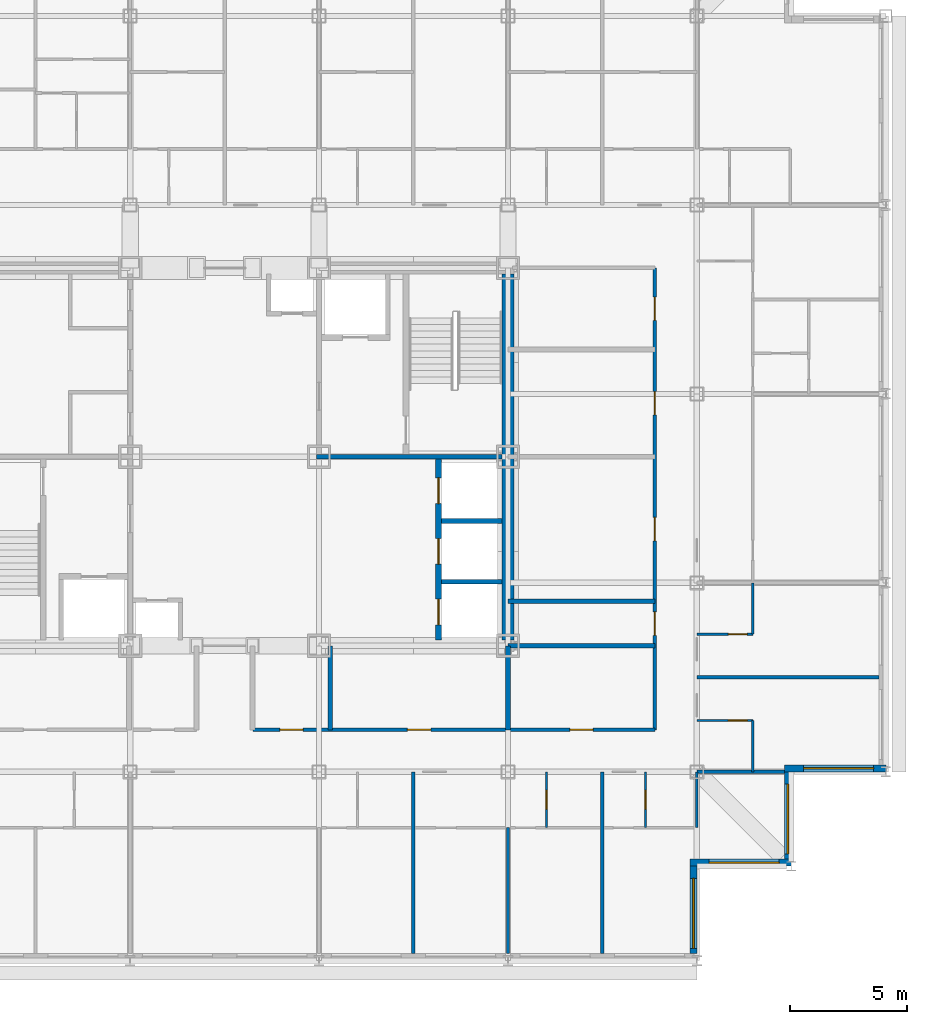
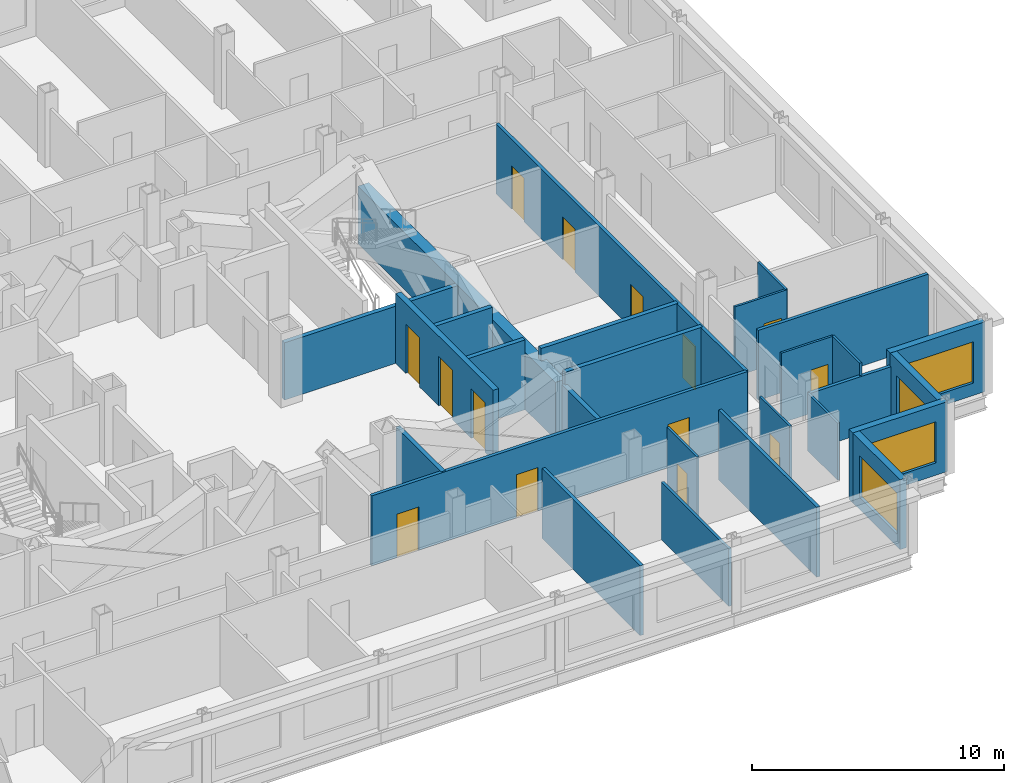
# One storey, part 7 of 12: 27 walls, 14 doors, 4 windows, 18 openings.
"""IFC4 building model written with IfcOpenShell, lengths in metres."""

import ifcopenshell
import ifcopenshell.guid

model = None  # the IFC model being written
_history = None  # IfcOwnerHistory: only IFC2X3 demands one
_inside = {}  # id of a spatial element -> (the spatial element, [elements in it])
_under = {}  # id of a project, library or spatial element -> (it, [spatial elements below it])
_declared = {}  # id of a project -> (the project, [libraries it declares])
_typed = {}  # id of a type object -> (the type object, [elements of that type])
_made_of = {}  # id of a material, layer set ... -> (it, [elements and type objects made of it])


def new_model(schema):
    """Start an empty IFC model of exactly this schema.

    Asked for "IFC4X3", IfcOpenShell would pick the latest addendum, in which some entities
    have other attributes; the version numbers below select the first issue.
    IFC2X3 requires an IfcOwnerHistory on every rooted entity: one is made here for all.
    """
    global model, _history
    if schema == "IFC4X3":
        model = ifcopenshell.file(schema_version=(4, 3, 0, 0))
    else:
        model = ifcopenshell.file(schema=schema)
    _inside.clear()
    _under.clear()
    _declared.clear()
    _typed.clear()
    _made_of.clear()
    _history = None
    if model.schema == "IFC2X3":
        org = make("IfcOrganization", Name="unknown")
        user = make(
            "IfcPersonAndOrganization",
            ThePerson=make("IfcPerson", FamilyName="unknown"),
            TheOrganization=org,
        )
        app = make(
            "IfcApplication",
            ApplicationDeveloper=org,
            Version="unknown",
            ApplicationFullName="unknown",
            ApplicationIdentifier="unknown",
        )
        _history = make(
            "IfcOwnerHistory",
            OwningUser=user,
            OwningApplication=app,
            ChangeAction="ADDED",
            CreationDate=0,
        )
    return model


def make(cls, **values):
    """One entity of the class cls with the attributes given. An attribute that is None is left unset."""
    return model.create_entity(
        cls, **{name: value for name, value in values.items() if value is not None}
    )


def rooted(cls, **values):
    """An entity with a GlobalId (a new one), such as an element, a storey or a relation."""
    return make(cls, GlobalId=ifcopenshell.guid.new(), OwnerHistory=_history, **values)


def si_unit(unit_type, name, prefix=None):
    """IfcSIUnit, for example si_unit("LENGTHUNIT", "METRE", prefix="MILLI")."""
    return make("IfcSIUnit", UnitType=unit_type, Prefix=prefix, Name=name)


def assignment(units):
    """IfcUnitAssignment: the units of a project."""
    return None if units is None else make("IfcUnitAssignment", Units=units)


def point(xyz):
    """IfcCartesianPoint."""
    return None if xyz is None else make("IfcCartesianPoint", Coordinates=xyz)


def direction(xyz):
    """IfcDirection."""
    return None if xyz is None else make("IfcDirection", DirectionRatios=xyz)


def frame(location, z_axis=None, x_axis=None):
    """IfcAxis2Placement3D, a coordinate frame: its origin and axes. An axis left out is left unset."""
    return make(
        "IfcAxis2Placement3D",
        Location=point(location),
        Axis=direction(z_axis),
        RefDirection=direction(x_axis),
    )


def frame_2d(location, x_axis=None):
    """IfcAxis2Placement2D, a coordinate frame in the plane: its origin and x axis."""
    return make(
        "IfcAxis2Placement2D", Location=point(location), RefDirection=direction(x_axis)
    )


def origin():
    """The frame at (0, 0, 0) with its axes left unset."""
    return frame((0.0, 0.0, 0.0))


def place(relative_to, where):
    """IfcLocalPlacement: puts the frame where relative to a parent placement (None: the world)."""
    return make(
        "IfcLocalPlacement", PlacementRelTo=relative_to, RelativePlacement=where
    )


def context(
    kind, dimensions, precision=None, world=None, true_north=None, identifier=None
):
    """IfcGeometricRepresentationContext, for example the 3D "Model" context."""
    return make(
        "IfcGeometricRepresentationContext",
        ContextIdentifier=identifier,
        ContextType=kind,
        CoordinateSpaceDimension=dimensions,
        Precision=precision,
        WorldCoordinateSystem=world,
        TrueNorth=true_north,
    )


def subcontext(parent, identifier, kind, view, scale=None):
    """IfcGeometricRepresentationSubContext, for example "Body" below "Model"."""
    return make(
        "IfcGeometricRepresentationSubContext",
        ContextIdentifier=identifier,
        ContextType=kind,
        ParentContext=parent,
        TargetScale=scale,
        TargetView=view,
    )


def project(units=None, contexts=None):
    """IfcProject with its units and contexts."""
    return rooted(
        "IfcProject",
        Name="project",
        RepresentationContexts=contexts,
        UnitsInContext=assignment(units),
    )


def spatial(cls, under=None, at=None, **own):
    """A site, building, storey or space (cls), placed at a placement, below another one or the project."""
    s = rooted(cls, ObjectPlacement=at, **own)
    if under is not None:
        _under.setdefault(under.id(), (under, []))[1].append(s)
    return s


def profile(cls, at=None, kind="AREA", **sizes):
    """A parametric profile (cls). Its sizes go by their IFC names, for example OverallWidth=200.0."""
    return make(cls, ProfileType=kind, Position=at, **sizes)


def rectangle(**sizes):
    """IfcRectangleProfileDef."""
    return profile("IfcRectangleProfileDef", **sizes)


def extrude(swept, where, along, depth):
    """IfcExtrudedAreaSolid: the profile swept, set in the frame where, extruded along a direction by depth."""
    return make(
        "IfcExtrudedAreaSolid",
        SweptArea=swept,
        Position=where,
        ExtrudedDirection=direction(along),
        Depth=depth,
    )


def shape(context_of_items, identifier, shape_type, items):
    """IfcShapeRepresentation: the items that make up one representation, for example the "Body"."""
    return make(
        "IfcShapeRepresentation",
        ContextOfItems=context_of_items,
        RepresentationIdentifier=identifier,
        RepresentationType=shape_type,
        Items=items,
    )


def material(Name=None, Category=None):
    """IfcMaterial."""
    return make("IfcMaterial", Name=Name, Category=Category)


def layer(
    of_material, thickness, ventilated=None, Name=None, Category=None, Priority=None
):
    """IfcMaterialLayer: one layer of a wall or slab, of a material (None: an air gap)."""
    return make(
        "IfcMaterialLayer",
        Material=of_material,
        LayerThickness=thickness,
        IsVentilated=ventilated,
        Name=Name,
        Category=Category,
        Priority=Priority,
    )


def layer_set(layers, Name=None):
    """IfcMaterialLayerSet."""
    return make("IfcMaterialLayerSet", MaterialLayers=layers, LayerSetName=Name)


def made_of(thing, what):
    """Note that an element or type object is made of a material, layer set ...; save() writes the relation."""
    if what is not None:
        _made_of.setdefault(what.id(), (what, []))[1].append(thing)
    return thing


def type_object(cls, material=None, **own):
    """A type object (cls), such as IfcWallType, which elements share."""
    return made_of(rooted(cls, **own), material)


def element(
    cls,
    number,
    at=None,
    inside=None,
    cuts=None,
    type_object=None,
    material=None,
    context=None,
    identifier="Body",
    shape_type=None,
    held_by="IfcProductDefinitionShape",
    body=None,
    shapes=None,
    **own,
):
    """One element of the class cls, such as IfcWall. Its Tag is "e" and its number.

    at: its placement. inside: the storey or other place that contains it. cuts: it is an
    opening in that element (IfcRelVoidsElement). A single representation is given by context,
    identifier, shape_type and body (its items); several are given by shapes. held_by: the class
    of the entity that holds the representations. save() writes the other relations.
    """
    e = rooted(cls, Tag="e%d" % number, ObjectPlacement=at, **own)
    if body is not None:
        shapes = [shape(context, identifier, shape_type, body)]
    if shapes is not None:
        e.Representation = make(held_by, Representations=shapes)
    if inside is not None:
        _inside.setdefault(inside.id(), (inside, []))[1].append(e)
    if cuts is not None:
        rooted(
            "IfcRelVoidsElement", RelatingBuildingElement=cuts, RelatedOpeningElement=e
        )
    if type_object is not None:
        _typed.setdefault(type_object.id(), (type_object, []))[1].append(e)
    return made_of(e, material)


def fill(opening, filler):
    """IfcRelFillsElement: the door or window that sits in an opening."""
    return rooted(
        "IfcRelFillsElement",
        RelatingOpeningElement=opening,
        RelatedBuildingElement=filler,
    )


def aggregate(whole, parts):
    """IfcRelAggregates: a whole, such as a stair, and the parts it consists of."""
    return rooted("IfcRelAggregates", RelatingObject=whole, RelatedObjects=parts)


def save(model, path):
    """Write the relations noted so far, then the file.

    IfcRelAggregates (storeys below a building ...), IfcRelContainedInSpatialStructure (elements
    in a storey), IfcRelDefinesByType, IfcRelAssociatesMaterial and IfcRelDeclares: one each for
    every whole, place, type object, material and project.
    """
    for whole, parts in _under.values():
        aggregate(whole, parts)
    for where, things in _inside.values():
        rooted(
            "IfcRelContainedInSpatialStructure",
            RelatedElements=things,
            RelatingStructure=where,
        )
    for kind, things in _typed.values():
        rooted("IfcRelDefinesByType", RelatedObjects=things, RelatingType=kind)
    for what, things in _made_of.values():
        rooted("IfcRelAssociatesMaterial", RelatedObjects=things, RelatingMaterial=what)
    for by, libraries in _declared.values():
        rooted("IfcRelDeclares", RelatingContext=by, RelatedDefinitions=libraries)
    model.write(path)


model = new_model("IFC4")

# Units and contexts
model_context = context("Model", 3, precision=1e-05, world=origin(), true_north=direction((0.0, 1.0)))
body_context = subcontext(model_context, "Body", "Model", "MODEL_VIEW")
ifc_project = project(units=[si_unit("LENGTHUNIT", "METRE"), si_unit("AREAUNIT", "SQUARE_METRE"), si_unit("VOLUMEUNIT", "CUBIC_METRE"), si_unit("PLANEANGLEUNIT", "RADIAN"), si_unit("MASSUNIT", "GRAM", prefix="KILO")], contexts=[model_context])

# Site, building, storey
site_placement = place(None, origin())
site = spatial("IfcSite", under=ifc_project, at=site_placement, CompositionType="ELEMENT")
building_placement = place(site_placement, origin())
building = spatial("IfcBuilding", under=site, at=building_placement, Name="Kopane Lantern Tower", CompositionType="ELEMENT")
storey_placement = place(building_placement, frame((0.0, 0.0, 199.199951171875)))
storey = spatial("IfcBuildingStorey", under=building, at=storey_placement, Name="L51", CompositionType="ELEMENT", Elevation=199.199951171875)

# Wall
ifc_material_1 = material(Name="Gypsum board on steel studs", Category="steel")
ifc_layer_1 = layer(ifc_material_1, 0.1201171875)
ifc_layer_set_1 = layer_set([ifc_layer_1], Name="APARTMENT INTERNAL WALL 120")
wall_type_1 = type_object("IfcWallType", Name="APARTMENT INTERNAL WALL 120", PredefinedType="PARTITIONING", material=ifc_layer_set_1)
wall_1_placement = place(storey_placement, frame((40.5, 16.5, 0.0), z_axis=(0.0, 0.0, 1.0), x_axis=(0.0, -1.0, 0.0)))
element("IfcWall", 1, at=wall_1_placement, inside=storey, type_object=wall_type_1, Name="Apartment Internal Wall 120 L51", PredefinedType="PARTITIONING", context=body_context, shape_type="SweptSolid", body=[
    extrude(rectangle(XDim=5.39990234375, YDim=0.1201171875, at=frame_2d((2.699951171875, 0.0))), origin(), (0.0, 0.0, 1.0), 2.77783203125),
])

# Wall, opening, door
ifc_material_2 = material(Name="Moisture-resistant board on steel studs", Category="steel")
ifc_layer_2 = layer(ifc_material_2, 0.10009765625)
ifc_layer_set_2 = layer_set([ifc_layer_2], Name="BATHROOM WALL 100")
wall_type_2 = type_object("IfcWallType", Name="BATHROOM WALL 100", PredefinedType="PARTITIONING", material=ifc_layer_set_2)
wall_2_placement = place(storey_placement, frame((42.14990234375, 18.89990234375, 0.0), z_axis=(0.0, 0.0, 1.0), x_axis=(0.0, -1.0, 0.0)))
wall_2 = element("IfcWall", 2, at=wall_2_placement, inside=storey, type_object=wall_type_2, Name="Bathroom Wall 100 L51", PredefinedType="PARTITIONING", context=body_context, shape_type="SweptSolid", body=[
    extrude(rectangle(XDim=2.39990234375, YDim=0.10009765625, at=frame_2d((1.199951171875, 0.0))), origin(), (0.0, 0.0, 1.0), 3.39013671875),
])
opening_1_placement = place(wall_2_placement, frame((0.800048828125, 0.0, 0.0)))
opening_1 = element("IfcOpeningElement", 3, at=opening_1_placement, cuts=wall_2, Name="Opening L51-022", PredefinedType="OPENING", context=body_context, shape_type="SweptSolid", body=[
    extrude(rectangle(XDim=0.800048828125, YDim=2.10009765625, at=frame_2d((0.39990234375, 1.050048828125))), frame((0.0, 0.06005859375, 0.0), z_axis=(0.0, -1.0, 0.0), x_axis=(1.0, 0.0, 0.0)), (0.0, 0.0, 1.0), 0.1201171875),
])
ifc_material_3 = material(Name="Timber door set", Category="wood")
door_type_1 = type_object("IfcDoorType", Name="DOOR D2 800x2100", OperationType="SINGLE_SWING_LEFT", PredefinedType="DOOR", material=ifc_material_3)
door_1_placement = place(opening_1_placement, origin())
door_1 = element("IfcDoor", 4, at=door_1_placement, inside=storey, type_object=door_type_1, Name="Door L51-022", OperationType="SINGLE_SWING_LEFT", OverallHeight=2.10009765625, OverallWidth=0.800048828125, PredefinedType="DOOR", context=body_context, shape_type="SweptSolid", body=[
    extrude(rectangle(XDim=0.800048828125, YDim=2.10009765625, at=frame_2d((0.39990234375, 1.050048828125))), frame((0.0, 0.02490234375, 0.0), z_axis=(0.0, -1.0, 0.0), x_axis=(1.0, 0.0, 0.0)), (0.0, 0.0, 1.0), 0.050048828125),
])
fill(opening_1, door_1)

# Wall
wall_3_placement = place(storey_placement, frame((51.0, 18.89990234375, 0.0), z_axis=(0.0, 0.0, 1.0), x_axis=(0.0, 1.0, 0.0)))
element("IfcWall", 5, at=wall_3_placement, inside=storey, type_object=wall_type_2, Name="Bathroom Wall 100 L51", PredefinedType="PARTITIONING", context=body_context, shape_type="SweptSolid", body=[
    extrude(rectangle(XDim=2.2001953125, YDim=0.10009765625, at=frame_2d((1.10009765625, 0.0))), origin(), (0.0, 0.0, 1.0), 3.39013671875),
])

# Wall, opening, door
wall_4_placement = place(storey_placement, frame((48.60009765625, 21.10009765625, 0.0), z_axis=(0.0, 0.0, 1.0), x_axis=(1.0, 0.0, 0.0)))
wall_4 = element("IfcWall", 6, at=wall_4_placement, inside=storey, type_object=wall_type_2, Name="Bathroom Wall 100 L51", PredefinedType="PARTITIONING", context=body_context, shape_type="SweptSolid", body=[
    extrude(rectangle(XDim=2.39990234375, YDim=0.10009765625, at=frame_2d((1.199951171875, 0.0))), origin(), (0.0, 0.0, 1.0), 3.39013671875),
])
opening_2_placement = place(wall_4_placement, frame((1.35009765625, 0.0, 0.0)))
opening_2 = element("IfcOpeningElement", 7, at=opening_2_placement, cuts=wall_4, Name="Opening L51-052", PredefinedType="OPENING", context=body_context, shape_type="SweptSolid", body=[
    extrude(rectangle(XDim=0.800048828125, YDim=2.10009765625, at=frame_2d((0.39990234375, 1.050048828125))), frame((0.0, 0.06005859375, 0.0), z_axis=(0.0, -1.0, 0.0), x_axis=(1.0, 0.0, 0.0)), (0.0, 0.0, 1.0), 0.1201171875),
])
door_2_placement = place(opening_2_placement, origin())
door_2 = element("IfcDoor", 8, at=door_2_placement, inside=storey, type_object=door_type_1, Name="Door L51-052", OperationType="SINGLE_SWING_LEFT", OverallHeight=2.10009765625, OverallWidth=0.800048828125, PredefinedType="DOOR", context=body_context, shape_type="SweptSolid", body=[
    extrude(rectangle(XDim=0.800048828125, YDim=2.10009765625, at=frame_2d((0.39990234375, 1.050048828125))), frame((0.0, 0.02490234375, 0.0), z_axis=(0.0, -1.0, 0.0), x_axis=(1.0, 0.0, 0.0)), (0.0, 0.0, 1.0), 0.050048828125),
])
fill(opening_2, door_2)

# Wall
wall_5_placement = place(storey_placement, frame((51.0, 24.800048828125, 0.0), z_axis=(0.0, 0.0, 1.0), x_axis=(0.0, 1.0, 0.0)))
element("IfcWall", 9, at=wall_5_placement, inside=storey, type_object=wall_type_2, Name="Bathroom Wall 100 L51", PredefinedType="PARTITIONING", context=body_context, shape_type="SweptSolid", body=[
    extrude(rectangle(XDim=2.199951171875, YDim=0.10009765625, at=frame_2d((1.10009765625, 0.0))), origin(), (0.0, 0.0, 1.0), 3.39013671875),
])

# Wall, opening, door
wall_6_placement = place(storey_placement, frame((48.60009765625, 24.800048828125, 0.0), z_axis=(0.0, 0.0, 1.0), x_axis=(1.0, 0.0, 0.0)))
wall_6 = element("IfcWall", 10, at=wall_6_placement, inside=storey, type_object=wall_type_2, Name="Bathroom Wall 100 L51", PredefinedType="PARTITIONING", context=body_context, shape_type="SweptSolid", body=[
    extrude(rectangle(XDim=2.39990234375, YDim=0.10009765625, at=frame_2d((1.199951171875, 0.0))), origin(), (0.0, 0.0, 1.0), 3.39013671875),
])
opening_3_placement = place(wall_6_placement, frame((1.35009765625, 0.0, 0.0)))
opening_3 = element("IfcOpeningElement", 11, at=opening_3_placement, cuts=wall_6, Name="Opening L51-054", PredefinedType="OPENING", context=body_context, shape_type="SweptSolid", body=[
    extrude(rectangle(XDim=0.800048828125, YDim=2.10009765625, at=frame_2d((0.39990234375, 1.050048828125))), frame((0.0, 0.06005859375, 0.0), z_axis=(0.0, -1.0, 0.0), x_axis=(1.0, 0.0, 0.0)), (0.0, 0.0, 1.0), 0.1201171875),
])
door_3_placement = place(opening_3_placement, origin())
door_3 = element("IfcDoor", 12, at=door_3_placement, inside=storey, type_object=door_type_1, Name="Door L51-054", OperationType="SINGLE_SWING_RIGHT", OverallHeight=2.10009765625, OverallWidth=0.800048828125, PredefinedType="DOOR", context=body_context, shape_type="SweptSolid", body=[
    extrude(rectangle(XDim=0.800048828125, YDim=2.10009765625, at=frame_2d((0.39990234375, 1.050048828125))), frame((0.0, 0.02490234375, 0.0), z_axis=(0.0, -1.0, 0.0), x_axis=(1.0, 0.0, 0.0)), (0.0, 0.0, 1.0), 0.050048828125),
])
fill(opening_3, door_3)

wall_7_placement = place(storey_placement, frame((46.39990234375, 18.89990234375, 0.0), z_axis=(0.0, 0.0, 1.0), x_axis=(0.0, -1.0, 0.0)))
wall_7 = element("IfcWall", 13, at=wall_7_placement, inside=storey, type_object=wall_type_2, Name="Bathroom Wall 100 L51", PredefinedType="PARTITIONING", context=body_context, shape_type="SweptSolid", body=[
    extrude(rectangle(XDim=2.39990234375, YDim=0.10009765625, at=frame_2d((1.199951171875, 0.0))), origin(), (0.0, 0.0, 1.0), 3.39013671875),
])
opening_4_placement = place(wall_7_placement, frame((0.800048828125, 0.0, 0.0)))
opening_4 = element("IfcOpeningElement", 14, at=opening_4_placement, cuts=wall_7, Name="Opening L51-065", PredefinedType="OPENING", context=body_context, shape_type="SweptSolid", body=[
    extrude(rectangle(XDim=0.800048828125, YDim=2.10009765625, at=frame_2d((0.39990234375, 1.050048828125))), frame((0.0, 0.06005859375, 0.0), z_axis=(0.0, -1.0, 0.0), x_axis=(1.0, 0.0, 0.0)), (0.0, 0.0, 1.0), 0.1201171875),
])
door_4_placement = place(opening_4_placement, origin())
door_4 = element("IfcDoor", 15, at=door_4_placement, inside=storey, type_object=door_type_1, Name="Door L51-065", OperationType="SINGLE_SWING_LEFT", OverallHeight=2.10009765625, OverallWidth=0.800048828125, PredefinedType="DOOR", context=body_context, shape_type="SweptSolid", body=[
    extrude(rectangle(XDim=0.800048828125, YDim=2.10009765625, at=frame_2d((0.39990234375, 1.050048828125))), frame((0.0, 0.02490234375, 0.0), z_axis=(0.0, -1.0, 0.0), x_axis=(1.0, 0.0, 0.0)), (0.0, 0.0, 1.0), 0.050048828125),
])
fill(opening_4, door_4)

# Walls
wall_8_placement = place(storey_placement, frame((48.60009765625, 18.89990234375, 0.0), z_axis=(0.0, 0.0, 1.0), x_axis=(0.0, -1.0, 0.0)))
element("IfcWall", 16, at=wall_8_placement, inside=storey, type_object=wall_type_2, Name="Bathroom Wall 100 L51", PredefinedType="PARTITIONING", context=body_context, shape_type="SweptSolid", body=[
    extrude(rectangle(XDim=2.39990234375, YDim=0.10009765625, at=frame_2d((1.199951171875, 0.0))), origin(), (0.0, 0.0, 1.0), 2.77783203125),
])
ifc_material_4 = material(Name="Gypsum shaft wall EI 120", Category="gypsum")
ifc_layer_3 = layer(ifc_material_4, 0.5)
ifc_layer_set_3 = layer_set([ifc_layer_3], Name="CORE PERIMETER WALL 500 EI 120")
wall_type_3 = type_object("IfcWallType", Name="CORE PERIMETER WALL 500 EI 120", PredefinedType="SOLIDWALL", material=ifc_layer_set_3)
wall_9_placement = place(storey_placement, frame((40.5, 24.550048828125, 0.0), z_axis=(0.0, 0.0, 1.0), x_axis=(0.0, 1.0, 0.0)))
element("IfcWall", 17, at=wall_9_placement, inside=storey, type_object=wall_type_3, Name="Core shaft wall L51 PE", PredefinedType="SOLIDWALL", context=body_context, shape_type="SweptSolid", body=[
    extrude(rectangle(XDim=15.699951171875, YDim=0.5, at=frame_2d((7.85009765625, 0.0))), origin(), (0.0, 0.0, 1.0), 2.77783203125),
])

# Wall, openings, doors
ifc_material_5 = material(Name="Gypsum shaft wall EI 120", Category="gypsum")
ifc_layer_4 = layer(ifc_material_5, 0.25)
ifc_layer_set_4 = layer_set([ifc_layer_4], Name="CORE SHAFT WALL 250 EI 120")
wall_type_4 = type_object("IfcWallType", Name="CORE SHAFT WALL 250 EI 120", PredefinedType="SOLIDWALL", material=ifc_layer_set_4)
wall_10_placement = place(storey_placement, frame((37.52490234375, 24.550048828125, 0.0), z_axis=(0.0, 0.0, 1.0), x_axis=(0.0, 1.0, 0.0)))
wall_10 = element("IfcWall", 18, at=wall_10_placement, inside=storey, type_object=wall_type_4, Name="Core shaft wall L51 XLR", PredefinedType="SOLIDWALL", context=body_context, shape_type="SweptSolid", body=[
    extrude(rectangle(XDim=7.75, YDim=0.25, at=frame_2d((3.875, 0.0))), origin(), (0.0, 0.0, 1.0), 3.39013671875),
])
opening_5_placement = place(wall_10_placement, frame((0.64990234375, 0.0, 0.0)))
opening_5 = element("IfcOpeningElement", 19, at=opening_5_placement, cuts=wall_10, Name="Opening 51.LD-LR1", PredefinedType="OPENING", context=body_context, shape_type="SweptSolid", body=[
    extrude(rectangle(XDim=1.10009765625, YDim=2.39990234375, at=frame_2d((0.550048828125, 1.199951171875))), frame((0.0, 0.135009765625, 0.0), z_axis=(0.0, -1.0, 0.0), x_axis=(1.0, 0.0, 0.0)), (0.0, 0.0, 1.0), 0.27001953125),
])
opening_6_placement = place(wall_10_placement, frame((3.25, 0.0, 0.0)))
opening_6 = element("IfcOpeningElement", 20, at=opening_6_placement, cuts=wall_10, Name="Opening 51.LD-LR2", PredefinedType="OPENING", context=body_context, shape_type="SweptSolid", body=[
    extrude(rectangle(XDim=1.10009765625, YDim=2.39990234375, at=frame_2d((0.550048828125, 1.199951171875))), frame((0.0, 0.135009765625, 0.0), z_axis=(0.0, -1.0, 0.0), x_axis=(1.0, 0.0, 0.0)), (0.0, 0.0, 1.0), 0.27001953125),
])
opening_7_placement = place(wall_10_placement, frame((5.85009765625, 0.0, 0.0)))
opening_7 = element("IfcOpeningElement", 21, at=opening_7_placement, cuts=wall_10, Name="Opening 51.LD-LR3", PredefinedType="OPENING", context=body_context, shape_type="SweptSolid", body=[
    extrude(rectangle(XDim=1.10009765625, YDim=2.39990234375, at=frame_2d((0.550048828125, 1.199951171875))), frame((0.0, 0.135009765625, 0.0), z_axis=(0.0, -1.0, 0.0), x_axis=(1.0, 0.0, 0.0)), (0.0, 0.0, 1.0), 0.27001953125),
])
ifc_material_6 = material(Name="Steel door set", Category="steel")
door_type_2 = type_object("IfcDoorType", Name="LIFT LANDING DOOR 1100x2400 FD60", OperationType="DOUBLE_DOOR_SLIDING", PredefinedType="DOOR", material=ifc_material_6)
door_5_placement = place(opening_5_placement, origin())
door_5 = element("IfcDoor", 22, at=door_5_placement, inside=storey, type_object=door_type_2, Name="Landing door LR1 L51", OperationType="DOUBLE_DOOR_SLIDING", OverallHeight=2.39990234375, OverallWidth=1.10009765625, PredefinedType="DOOR", context=body_context, shape_type="SweptSolid", body=[
    extrude(rectangle(XDim=1.10009765625, YDim=2.39990234375, at=frame_2d((0.550048828125, 1.199951171875))), frame((0.0, 0.02490234375, 0.0), z_axis=(0.0, -1.0, 0.0), x_axis=(1.0, 0.0, 0.0)), (0.0, 0.0, 1.0), 0.050048828125),
])
fill(opening_5, door_5)
door_6_placement = place(opening_6_placement, origin())
door_6 = element("IfcDoor", 23, at=door_6_placement, inside=storey, type_object=door_type_2, Name="Landing door LR2 L51", OperationType="DOUBLE_DOOR_SLIDING", OverallHeight=2.39990234375, OverallWidth=1.10009765625, PredefinedType="DOOR", context=body_context, shape_type="SweptSolid", body=[
    extrude(rectangle(XDim=1.10009765625, YDim=2.39990234375, at=frame_2d((0.550048828125, 1.199951171875))), frame((0.0, 0.02490234375, 0.0), z_axis=(0.0, -1.0, 0.0), x_axis=(1.0, 0.0, 0.0)), (0.0, 0.0, 1.0), 0.050048828125),
])
fill(opening_6, door_6)
door_7_placement = place(opening_7_placement, origin())
door_7 = element("IfcDoor", 24, at=door_7_placement, inside=storey, type_object=door_type_2, Name="Landing door LR3 L51", OperationType="DOUBLE_DOOR_SLIDING", OverallHeight=2.39990234375, OverallWidth=1.10009765625, PredefinedType="DOOR", context=body_context, shape_type="SweptSolid", body=[
    extrude(rectangle(XDim=1.10009765625, YDim=2.39990234375, at=frame_2d((0.550048828125, 1.199951171875))), frame((0.0, 0.02490234375, 0.0), z_axis=(0.0, -1.0, 0.0), x_axis=(1.0, 0.0, 0.0)), (0.0, 0.0, 1.0), 0.050048828125),
])
fill(opening_7, door_7)

ifc_material_7 = material(Name="Gypsum board on steel studs", Category="steel")
ifc_layer_5 = layer(ifc_material_7, 0.14990234375)
ifc_layer_set_5 = layer_set([ifc_layer_5], Name="CORRIDOR WALL 150 EI 60")
wall_type_5 = type_object("IfcWallType", Name="CORRIDOR WALL 150 EI 60", PredefinedType="PARTITIONING", material=ifc_layer_set_5)
wall_11_placement = place(storey_placement, frame((46.800048828125, 20.699951171875, 0.0), z_axis=(0.0, 0.0, 1.0), x_axis=(0.0, 1.0, 0.0)))
wall_11 = element("IfcWall", 25, at=wall_11_placement, inside=storey, type_object=wall_type_5, Name="Corridor Wall 150 Ei 60 L51", PredefinedType="PARTITIONING", context=body_context, shape_type="SweptSolid", body=[
    extrude(rectangle(XDim=19.800048828125, YDim=0.14990234375, at=frame_2d((9.89990234375, 0.0))), origin(), (0.0, 0.0, 1.0), 3.39013671875),
])
opening_8_placement = place(wall_11_placement, frame((4.052490234375, 0.0, 0.0)))
opening_8 = element("IfcOpeningElement", 26, at=opening_8_placement, cuts=wall_11, Name="Opening L51-003", PredefinedType="OPENING", context=body_context, shape_type="SweptSolid", body=[
    extrude(rectangle(XDim=1.0, YDim=2.10009765625, at=frame_2d((0.5, 1.050048828125))), frame((0.0, 0.0849609375, 0.0), z_axis=(0.0, -1.0, 0.0), x_axis=(1.0, 0.0, 0.0)), (0.0, 0.0, 1.0), 0.169921875),
])
opening_9_placement = place(wall_11_placement, frame((8.102294921875, 0.0, 0.0)))
opening_9 = element("IfcOpeningElement", 27, at=opening_9_placement, cuts=wall_11, Name="Opening L51-004", PredefinedType="OPENING", context=body_context, shape_type="SweptSolid", body=[
    extrude(rectangle(XDim=1.0, YDim=2.10009765625, at=frame_2d((0.5, 1.050048828125))), frame((0.0, 0.0849609375, 0.0), z_axis=(0.0, -1.0, 0.0), x_axis=(1.0, 0.0, 0.0)), (0.0, 0.0, 1.0), 0.169921875),
])
opening_10_placement = place(wall_11_placement, frame((13.501708984375, 0.0, 0.0)))
opening_10 = element("IfcOpeningElement", 28, at=opening_10_placement, cuts=wall_11, Name="Opening L51-005", PredefinedType="OPENING", context=body_context, shape_type="SweptSolid", body=[
    extrude(rectangle(XDim=1.0, YDim=2.10009765625, at=frame_2d((0.5, 1.050048828125))), frame((0.0, 0.0849609375, 0.0), z_axis=(0.0, -1.0, 0.0), x_axis=(1.0, 0.0, 0.0)), (0.0, 0.0, 1.0), 0.169921875),
])
opening_11_placement = place(wall_11_placement, frame((17.551513671875, 0.0, 0.0)))
opening_11 = element("IfcOpeningElement", 29, at=opening_11_placement, cuts=wall_11, Name="Opening L51-006", PredefinedType="OPENING", context=body_context, shape_type="SweptSolid", body=[
    extrude(rectangle(XDim=1.0, YDim=2.10009765625, at=frame_2d((0.5, 1.050048828125))), frame((0.0, 0.0849609375, 0.0), z_axis=(0.0, -1.0, 0.0), x_axis=(1.0, 0.0, 0.0)), (0.0, 0.0, 1.0), 0.169921875),
])
ifc_material_8 = material(Name="Steel door set", Category="steel")
door_type_3 = type_object("IfcDoorType", Name="DOOR D5 1000x2100 FD60", OperationType="SINGLE_SWING_LEFT", PredefinedType="DOOR", material=ifc_material_8)
door_8_placement = place(opening_8_placement, origin())
door_8 = element("IfcDoor", 30, at=door_8_placement, inside=storey, type_object=door_type_3, Name="Door L51-003", OperationType="SINGLE_SWING_LEFT", OverallHeight=2.10009765625, OverallWidth=1.0, PredefinedType="DOOR", context=body_context, shape_type="SweptSolid", body=[
    extrude(rectangle(XDim=1.0, YDim=2.10009765625, at=frame_2d((0.5, 1.050048828125))), frame((0.0, 0.02490234375, 0.0), z_axis=(0.0, -1.0, 0.0), x_axis=(1.0, 0.0, 0.0)), (0.0, 0.0, 1.0), 0.050048828125),
])
fill(opening_8, door_8)
door_9_placement = place(opening_9_placement, origin())
door_9 = element("IfcDoor", 31, at=door_9_placement, inside=storey, type_object=door_type_3, Name="Door L51-004", OperationType="SINGLE_SWING_RIGHT", OverallHeight=2.10009765625, OverallWidth=1.0, PredefinedType="DOOR", context=body_context, shape_type="SweptSolid", body=[
    extrude(rectangle(XDim=1.0, YDim=2.10009765625, at=frame_2d((0.5, 1.050048828125))), frame((0.0, 0.02490234375, 0.0), z_axis=(0.0, -1.0, 0.0), x_axis=(1.0, 0.0, 0.0)), (0.0, 0.0, 1.0), 0.050048828125),
])
fill(opening_9, door_9)
door_10_placement = place(opening_10_placement, origin())
door_10 = element("IfcDoor", 32, at=door_10_placement, inside=storey, type_object=door_type_3, Name="Door L51-005", OperationType="SINGLE_SWING_LEFT", OverallHeight=2.10009765625, OverallWidth=1.0, PredefinedType="DOOR", context=body_context, shape_type="SweptSolid", body=[
    extrude(rectangle(XDim=1.0, YDim=2.10009765625, at=frame_2d((0.5, 1.050048828125))), frame((0.0, 0.02490234375, 0.0), z_axis=(0.0, -1.0, 0.0), x_axis=(1.0, 0.0, 0.0)), (0.0, 0.0, 1.0), 0.050048828125),
])
fill(opening_10, door_10)
door_11_placement = place(opening_11_placement, origin())
door_11 = element("IfcDoor", 33, at=door_11_placement, inside=storey, type_object=door_type_3, Name="Door L51-006", OperationType="SINGLE_SWING_RIGHT", OverallHeight=2.10009765625, OverallWidth=1.0, PredefinedType="DOOR", context=body_context, shape_type="SweptSolid", body=[
    extrude(rectangle(XDim=1.0, YDim=2.10009765625, at=frame_2d((0.5, 1.050048828125))), frame((0.0, 0.02490234375, 0.0), z_axis=(0.0, -1.0, 0.0), x_axis=(1.0, 0.0, 0.0)), (0.0, 0.0, 1.0), 0.050048828125),
])
fill(opening_11, door_11)

wall_12_placement = place(storey_placement, frame((29.56005859375, 20.699951171875, 0.0), z_axis=(0.0, 0.0, 1.0), x_axis=(1.0, 0.0, 0.0)))
wall_12 = element("IfcWall", 34, at=wall_12_placement, inside=storey, type_object=wall_type_5, Name="Corridor Wall 150 Ei 60 L51", PredefinedType="PARTITIONING", context=body_context, shape_type="SweptSolid", body=[
    extrude(rectangle(XDim=17.239990234375, YDim=0.14990234375, at=frame_2d((8.6201171875, 0.0))), origin(), (0.0, 0.0, 1.0), 3.39013671875),
])
opening_12_placement = place(wall_12_placement, frame((1.15673828125, 0.0, 0.0)))
opening_12 = element("IfcOpeningElement", 35, at=opening_12_placement, cuts=wall_12, Name="Opening L51-011", PredefinedType="OPENING", context=body_context, shape_type="SweptSolid", body=[
    extrude(rectangle(XDim=1.0, YDim=2.10009765625, at=frame_2d((0.5, 1.050048828125))), frame((0.0, 0.0849609375, 0.0), z_axis=(0.0, -1.0, 0.0), x_axis=(1.0, 0.0, 0.0)), (0.0, 0.0, 1.0), 0.169921875),
])
opening_13_placement = place(wall_12_placement, frame((6.631591796875, 0.0, 0.0)))
opening_13 = element("IfcOpeningElement", 36, at=opening_13_placement, cuts=wall_12, Name="Opening L51-012", PredefinedType="OPENING", context=body_context, shape_type="SweptSolid", body=[
    extrude(rectangle(XDim=1.0, YDim=2.10009765625, at=frame_2d((0.5, 1.050048828125))), frame((0.0, 0.0849609375, 0.0), z_axis=(0.0, -1.0, 0.0), x_axis=(1.0, 0.0, 0.0)), (0.0, 0.0, 1.0), 0.169921875),
])
opening_14_placement = place(wall_12_placement, frame((13.590087890625, 0.0, 0.0)))
opening_14 = element("IfcOpeningElement", 37, at=opening_14_placement, cuts=wall_12, Name="Opening L51-013", PredefinedType="OPENING", context=body_context, shape_type="SweptSolid", body=[
    extrude(rectangle(XDim=1.0, YDim=2.10009765625, at=frame_2d((0.5, 1.050048828125))), frame((0.0, 0.0849609375, 0.0), z_axis=(0.0, -1.0, 0.0), x_axis=(1.0, 0.0, 0.0)), (0.0, 0.0, 1.0), 0.169921875),
])
door_12_placement = place(opening_12_placement, origin())
door_12 = element("IfcDoor", 38, at=door_12_placement, inside=storey, type_object=door_type_3, Name="Door L51-011", OperationType="SINGLE_SWING_LEFT", OverallHeight=2.10009765625, OverallWidth=1.0, PredefinedType="DOOR", context=body_context, shape_type="SweptSolid", body=[
    extrude(rectangle(XDim=1.0, YDim=2.10009765625, at=frame_2d((0.5, 1.050048828125))), frame((0.0, 0.02490234375, 0.0), z_axis=(0.0, -1.0, 0.0), x_axis=(1.0, 0.0, 0.0)), (0.0, 0.0, 1.0), 0.050048828125),
])
fill(opening_12, door_12)
door_13_placement = place(opening_13_placement, origin())
door_13 = element("IfcDoor", 39, at=door_13_placement, inside=storey, type_object=door_type_3, Name="Door L51-012", OperationType="SINGLE_SWING_RIGHT", OverallHeight=2.10009765625, OverallWidth=1.0, PredefinedType="DOOR", context=body_context, shape_type="SweptSolid", body=[
    extrude(rectangle(XDim=1.0, YDim=2.10009765625, at=frame_2d((0.5, 1.050048828125))), frame((0.0, 0.02490234375, 0.0), z_axis=(0.0, -1.0, 0.0), x_axis=(1.0, 0.0, 0.0)), (0.0, 0.0, 1.0), 0.050048828125),
])
fill(opening_13, door_13)
door_14_placement = place(opening_14_placement, origin())
door_14 = element("IfcDoor", 40, at=door_14_placement, inside=storey, type_object=door_type_3, Name="Door L51-013", OperationType="SINGLE_SWING_LEFT", OverallHeight=2.10009765625, OverallWidth=1.0, PredefinedType="DOOR", context=body_context, shape_type="SweptSolid", body=[
    extrude(rectangle(XDim=1.0, YDim=2.10009765625, at=frame_2d((0.5, 1.050048828125))), frame((0.0, 0.02490234375, 0.0), z_axis=(0.0, -1.0, 0.0), x_axis=(1.0, 0.0, 0.0)), (0.0, 0.0, 1.0), 0.050048828125),
])
fill(opening_14, door_14)

# Walls
ifc_material_9 = material(Name="Gypsum board on steel studs", Category="steel")
ifc_layer_6 = layer(ifc_material_9, 0.14990234375)
ifc_layer_set_6 = layer_set([ifc_layer_6], Name="DEMISING WALL 150 EI 60")
wall_type_6 = type_object("IfcWallType", Name="DEMISING WALL 150 EI 60", PredefinedType="PARTITIONING", material=ifc_layer_set_6)
for number, where, z_axis, x_axis, name in (
    (41, (36.449951171875, 18.89990234375, 0.0), (0.0, 0.0, 1.0), (0.0, -1.0, 0.0), "Demising Wall 150 Ei 60 L51"),
    (42, (48.60009765625, 22.949951171875, 0.0), (0.0, 0.0, 1.0), (1.0, 0.0, 0.0), "Demising Wall 150 Ei 60 L51"),
):
    element("IfcWall", number, at=place(storey_placement, frame(where, z_axis=z_axis, x_axis=x_axis)), inside=storey, type_object=wall_type_6, Name=name, PredefinedType="PARTITIONING", context=body_context, shape_type="SweptSolid", body=[
        extrude(rectangle(XDim=7.7998046875, YDim=0.14990234375, at=frame_2d((3.89990234375, 0.0))), origin(), (0.0, 0.0, 1.0), 3.39013671875),
    ])
wall_13_placement = place(storey_placement, frame((48.60009765625, 18.89990234375, 0.0), z_axis=(0.0, 0.0, 1.0), x_axis=(1.0, 0.0, 0.0)))
element("IfcWall", 43, at=wall_13_placement, inside=storey, type_object=wall_type_6, Name="Demising Wall 150 Ei 60 L51", PredefinedType="PARTITIONING", context=body_context, shape_type="SweptSolid", body=[
    extrude(rectangle(XDim=3.75, YDim=0.14990234375, at=frame_2d((1.875, 0.0))), origin(), (0.0, 0.0, 1.0), 2.77783203125),
])
wall_14_placement = place(storey_placement, frame((44.550048828125, 18.89990234375, 0.0), z_axis=(0.0, 0.0, 1.0), x_axis=(0.0, -1.0, 0.0)))
element("IfcWall", 44, at=wall_14_placement, inside=storey, type_object=wall_type_6, Name="Demising Wall 150 Ei 60 L51", PredefinedType="PARTITIONING", context=body_context, shape_type="SweptSolid", body=[
    extrude(rectangle(XDim=7.7998046875, YDim=0.14990234375, at=frame_2d((3.89990234375, 0.0))), origin(), (0.0, 0.0, 1.0), 3.39013671875),
])

# Wall, opening, window
ifc_material_10 = material(Name="Terracotta rainscreen on light steel framing", Category="masonry")
ifc_layer_7 = layer(ifc_material_10, 0.300048828125)
ifc_layer_set_7 = layer_set([ifc_layer_7], Name="EXTERNAL WALL EW1 300 TERRACOTTA")
wall_type_7 = type_object("IfcWallType", Name="EXTERNAL WALL EW1 300 TERRACOTTA", PredefinedType="SOLIDWALL", material=ifc_layer_set_7)
wall_15_placement = place(storey_placement, frame((48.449951171875, 11.10009765625, 0.0), z_axis=(0.0, 0.0, 1.0), x_axis=(0.0, 1.0, 0.0)))
wall_15 = element("IfcWall", 45, at=wall_15_placement, inside=storey, type_object=wall_type_7, Name="External wall E L51", PredefinedType="SOLIDWALL", context=body_context, shape_type="SweptSolid", body=[
    extrude(rectangle(XDim=3.75, YDim=0.300048828125, at=frame_2d((1.875, 0.0))), origin(), (0.0, 0.0, 1.0), 3.39013671875),
])
opening_15_placement = place(wall_15_placement, frame((0.22509765625, 0.0, 0.60009765625)))
opening_15 = element("IfcOpeningElement", 46, at=opening_15_placement, cuts=wall_15, Name="Opening WR300200", PredefinedType="OPENING", context=body_context, shape_type="SweptSolid", body=[
    extrude(rectangle(XDim=3.0, YDim=2.0, at=frame_2d((1.5, 1.0))), frame((0.0, 0.159912109375, 0.0), z_axis=(0.0, -1.0, 0.0), x_axis=(1.0, 0.0, 0.0)), (0.0, 0.0, 1.0), 0.320068359375),
])
ifc_material_11 = material(Name="Aluminium and clear glass", Category="aluminium")
window_type = type_object("IfcWindowType", Name="RIBBON WINDOW WR300200 3000x2000", PartitioningType="SINGLE_PANEL", PredefinedType="WINDOW", material=ifc_material_11)
window_1_placement = place(opening_15_placement, origin())
window_1 = element("IfcWindow", 47, at=window_1_placement, inside=storey, type_object=window_type, Name="Window E L51", OverallHeight=2.0, OverallWidth=3.0, PartitioningType="SINGLE_PANEL", PredefinedType="WINDOW", context=body_context, shape_type="SweptSolid", body=[
    extrude(rectangle(XDim=3.0, YDim=2.0, at=frame_2d((1.5, 1.0))), frame((0.0, 0.030029296875, 0.0), z_axis=(0.0, -1.0, 0.0), x_axis=(1.0, 0.0, 0.0)), (0.0, 0.0, 1.0), 0.06005859375),
])
fill(opening_15, window_1)

wall_16_placement = place(storey_placement, frame((48.300048828125, 15.0, 0.0), z_axis=(0.0, 0.0, 1.0), x_axis=(1.0, 0.0, 0.0)))
wall_16 = element("IfcWall", 48, at=wall_16_placement, inside=storey, type_object=wall_type_7, Name="External wall S L51", PredefinedType="SOLIDWALL", context=body_context, shape_type="SweptSolid", body=[
    extrude(rectangle(XDim=4.349853515625, YDim=0.300048828125, at=frame_2d((2.1748046875, 0.0))), origin(), (0.0, 0.0, 1.0), 3.39013671875),
])
opening_16_placement = place(wall_16_placement, frame((0.824951171875, 0.0, 0.60009765625)))
opening_16 = element("IfcOpeningElement", 49, at=opening_16_placement, cuts=wall_16, Name="Opening WR300200", PredefinedType="OPENING", context=body_context, shape_type="SweptSolid", body=[
    extrude(rectangle(XDim=3.0, YDim=2.0, at=frame_2d((1.5, 1.0))), frame((0.0, 0.159912109375, 0.0), z_axis=(0.0, -1.0, 0.0), x_axis=(1.0, 0.0, 0.0)), (0.0, 0.0, 1.0), 0.320068359375),
])
window_2_placement = place(opening_16_placement, origin())
window_2 = element("IfcWindow", 50, at=window_2_placement, inside=storey, type_object=window_type, Name="Window S L51", OverallHeight=2.0, OverallWidth=3.0, PartitioningType="SINGLE_PANEL", PredefinedType="WINDOW", context=body_context, shape_type="SweptSolid", body=[
    extrude(rectangle(XDim=3.0, YDim=2.0, at=frame_2d((1.5, 1.0))), frame((0.0, 0.030029296875, 0.0), z_axis=(0.0, -1.0, 0.0), x_axis=(1.0, 0.0, 0.0)), (0.0, 0.0, 1.0), 0.06005859375),
])
fill(opening_16, window_2)

wall_17_placement = place(storey_placement, frame((52.5, 15.14990234375, 0.0), z_axis=(0.0, 0.0, 1.0), x_axis=(0.0, 1.0, 0.0)))
wall_17 = element("IfcWall", 51, at=wall_17_placement, inside=storey, type_object=wall_type_7, Name="External wall E L51", PredefinedType="SOLIDWALL", context=body_context, shape_type="SweptSolid", body=[
    extrude(rectangle(XDim=3.75, YDim=0.300048828125, at=frame_2d((1.875, 0.0))), origin(), (0.0, 0.0, 1.0), 3.39013671875),
])
opening_17_placement = place(wall_17_placement, frame((0.22509765625, 0.0, 0.60009765625)))
opening_17 = element("IfcOpeningElement", 52, at=opening_17_placement, cuts=wall_17, Name="Opening WR300200", PredefinedType="OPENING", context=body_context, shape_type="SweptSolid", body=[
    extrude(rectangle(XDim=3.0, YDim=2.0, at=frame_2d((1.5, 1.0))), frame((0.0, 0.159912109375, 0.0), z_axis=(0.0, -1.0, 0.0), x_axis=(1.0, 0.0, 0.0)), (0.0, 0.0, 1.0), 0.320068359375),
])
window_3_placement = place(opening_17_placement, origin())
window_3 = element("IfcWindow", 53, at=window_3_placement, inside=storey, type_object=window_type, Name="Window E L51", OverallHeight=2.0, OverallWidth=3.0, PartitioningType="SINGLE_PANEL", PredefinedType="WINDOW", context=body_context, shape_type="SweptSolid", body=[
    extrude(rectangle(XDim=3.0, YDim=2.0, at=frame_2d((1.5, 1.0))), frame((0.0, 0.030029296875, 0.0), z_axis=(0.0, -1.0, 0.0), x_axis=(1.0, 0.0, 0.0)), (0.0, 0.0, 1.0), 0.06005859375),
])
fill(opening_17, window_3)

wall_18_placement = place(storey_placement, frame((52.35009765625, 19.050048828125, 0.0), z_axis=(0.0, 0.0, 1.0), x_axis=(1.0, 0.0, 0.0)))
wall_18 = element("IfcWall", 54, at=wall_18_placement, inside=storey, type_object=wall_type_7, Name="External wall S L51", PredefinedType="SOLIDWALL", context=body_context, shape_type="SweptSolid", body=[
    extrude(rectangle(XDim=4.349853515625, YDim=0.300048828125, at=frame_2d((2.1748046875, 0.0))), origin(), (0.0, 0.0, 1.0), 3.39013671875),
])
opening_18_placement = place(wall_18_placement, frame((0.824951171875, 0.0, 0.60009765625)))
opening_18 = element("IfcOpeningElement", 55, at=opening_18_placement, cuts=wall_18, Name="Opening WR300200", PredefinedType="OPENING", context=body_context, shape_type="SweptSolid", body=[
    extrude(rectangle(XDim=3.0, YDim=2.0, at=frame_2d((1.5, 1.0))), frame((0.0, 0.159912109375, 0.0), z_axis=(0.0, -1.0, 0.0), x_axis=(1.0, 0.0, 0.0)), (0.0, 0.0, 1.0), 0.320068359375),
])
window_4_placement = place(opening_18_placement, origin())
window_4 = element("IfcWindow", 56, at=window_4_placement, inside=storey, type_object=window_type, Name="Window S L51", OverallHeight=2.0, OverallWidth=3.0, PartitioningType="SINGLE_PANEL", PredefinedType="WINDOW", context=body_context, shape_type="SweptSolid", body=[
    extrude(rectangle(XDim=3.0, YDim=2.0, at=frame_2d((1.5, 1.0))), frame((0.0, 0.030029296875, 0.0), z_axis=(0.0, -1.0, 0.0), x_axis=(1.0, 0.0, 0.0)), (0.0, 0.0, 1.0), 0.06005859375),
])
fill(opening_18, window_4)

# Walls
ifc_material_12 = material(Name="Concrete masonry", Category="masonry")
ifc_layer_8 = layer(ifc_material_12, 0.199951171875)
ifc_layer_set_8 = layer_set([ifc_layer_8], Name="PLANT ROOM WALL 200 EI 120")
wall_type_8 = type_object("IfcWallType", Name="PLANT ROOM WALL 200 EI 120", PredefinedType="SOLIDWALL", material=ifc_layer_set_8)
wall_19_placement = place(storey_placement, frame((46.800048828125, 26.204833984375, 0.0), z_axis=(0.0, 0.0, 1.0), x_axis=(-1.0, 0.0, 0.0)))
element("IfcWall", 57, at=wall_19_placement, inside=storey, type_object=wall_type_8, Name="Plant Room Wall 200 Ei 120 L51", PredefinedType="SOLIDWALL", context=body_context, shape_type="SweptSolid", body=[
    extrude(rectangle(XDim=6.300048828125, YDim=0.199951171875, at=frame_2d((3.14990234375, 0.0))), origin(), (0.0, 0.0, 1.0), 3.39013671875),
])
wall_20_placement = place(storey_placement, frame((40.5, 20.699951171875, 0.0), z_axis=(0.0, 0.0, 1.0), x_axis=(0.0, 1.0, 0.0)))
element("IfcWall", 58, at=wall_20_placement, inside=storey, type_object=wall_type_8, Name="Plant Room Wall 200 Ei 120 L51", PredefinedType="SOLIDWALL", context=body_context, shape_type="SweptSolid", body=[
    extrude(rectangle(XDim=3.60009765625, YDim=0.199951171875, at=frame_2d((1.800048828125, 0.0))), origin(), (0.0, 0.0, 1.0), 2.77783203125),
])
wall_21_placement = place(storey_placement, frame((32.88330078125, 20.699951171875, 0.0), z_axis=(0.0, 0.0, 1.0), x_axis=(0.0, 1.0, 0.0)))
element("IfcWall", 59, at=wall_21_placement, inside=storey, type_object=wall_type_8, Name="Plant Room Wall 200 Ei 120 L51", PredefinedType="SOLIDWALL", context=body_context, shape_type="SweptSolid", body=[
    extrude(rectangle(XDim=3.60009765625, YDim=0.199951171875, at=frame_2d((1.800048828125, 0.0))), origin(), (0.0, 0.0, 1.0), 3.39013671875),
])
wall_22_placement = place(storey_placement, frame((40.5, 24.300048828125, 0.0), z_axis=(0.0, 0.0, 1.0), x_axis=(1.0, 0.0, 0.0)))
element("IfcWall", 60, at=wall_22_placement, inside=storey, type_object=wall_type_8, Name="Plant Room Wall 200 Ei 120 L51", PredefinedType="SOLIDWALL", context=body_context, shape_type="SweptSolid", body=[
    extrude(rectangle(XDim=6.300048828125, YDim=0.199951171875, at=frame_2d((3.14990234375, 0.0))), origin(), (0.0, 0.0, 1.0), 3.39013671875),
])
ifc_material_13 = material(Name="Gypsum shaft wall EI 120", Category="gypsum")
ifc_layer_9 = layer(ifc_material_13, 0.199951171875)
ifc_layer_set_9 = layer_set([ifc_layer_9], Name="SHAFT WALL 200 EI 120")
wall_type_9 = type_object("IfcWallType", Name="SHAFT WALL 200 EI 120", PredefinedType="SOLIDWALL", material=ifc_layer_set_9)
wall_23_placement = place(storey_placement, frame((32.300048828125, 32.39990234375, 0.0), z_axis=(0.0, 0.0, 1.0), x_axis=(1.0, 0.0, 0.0)))
element("IfcWall", 61, at=wall_23_placement, inside=storey, type_object=wall_type_9, Name="Core shaft wall L51 Y324E", PredefinedType="SOLIDWALL", context=body_context, shape_type="SweptSolid", body=[
    extrude(rectangle(XDim=7.949951171875, YDim=0.199951171875, at=frame_2d((3.97509765625, 0.0))), origin(), (0.0, 0.0, 1.0), 2.77783203125),
])
for number, where, z_axis, x_axis, name in (
    (62, (37.64990234375, 27.050048828125, 0.0), (0.0, 0.0, 1.0), (1.0, 0.0, 0.0), "Core shaft wall L51 YLR12"),
    (63, (37.64990234375, 29.64990234375, 0.0), (0.0, 0.0, 1.0), (1.0, 0.0, 0.0), "Core shaft wall L51 YLR23"),
):
    element("IfcWall", number, at=place(storey_placement, frame(where, z_axis=z_axis, x_axis=x_axis)), inside=storey, type_object=wall_type_9, Name=name, PredefinedType="SOLIDWALL", context=body_context, shape_type="SweptSolid", body=[
        extrude(rectangle(XDim=2.60009765625, YDim=0.199951171875, at=frame_2d((1.300048828125, 0.0))), origin(), (0.0, 0.0, 1.0), 3.39013671875),
    ])

save(model, "model.ifc")
